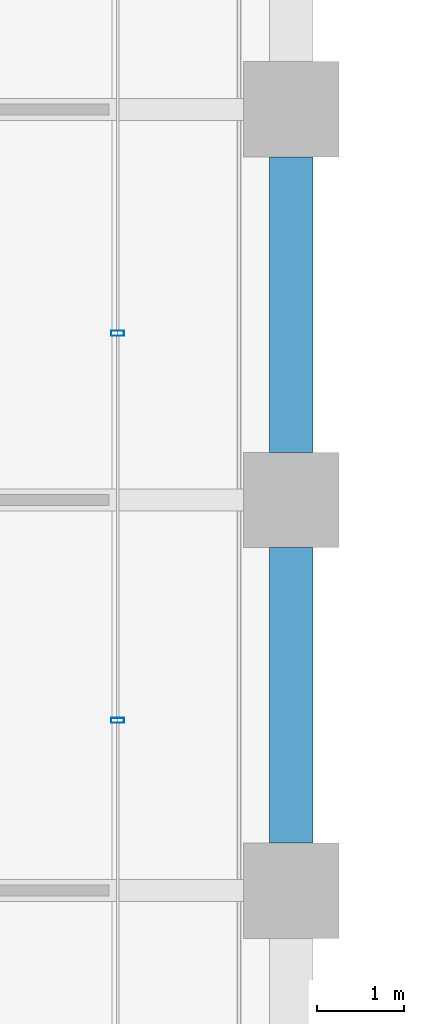
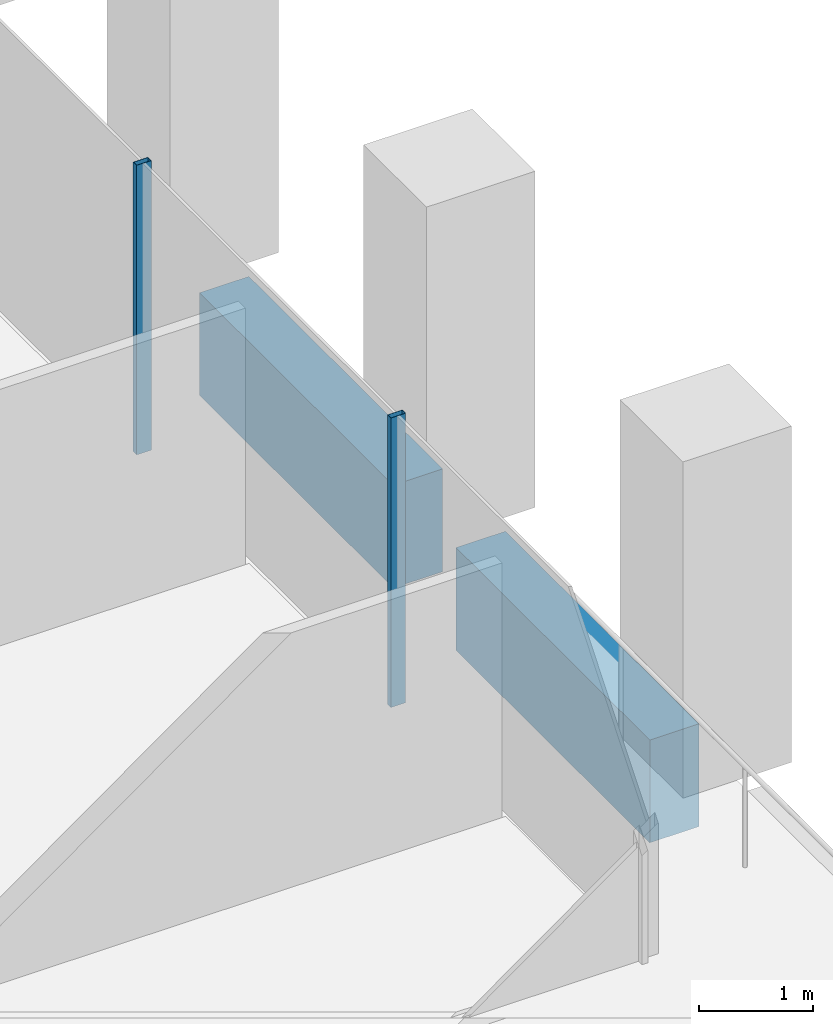
# One storey, part 18 of 56: 2 beams, 2 members, 1 element without a shape of its own.
"""IFC4 building model written with IfcOpenShell, lengths in metres."""

from ifc_helpers import new_model, si_unit, direction, frame, origin, origin_2d, place, context, subcontext, project, spatial, rectangle, hollow_rectangle, extrude, material, material_profile, profile_set, type_object, element, aggregate, save


model = new_model("IFC4")

# Units and contexts
model_context = context("Model", 3, precision=1e-05, world=origin(), true_north=direction((0.0, 1.0)))
body_context = subcontext(model_context, "Body", "Model", "MODEL_VIEW")
ifc_project = project(units=[si_unit("LENGTHUNIT", "METRE"), si_unit("AREAUNIT", "SQUARE_METRE"), si_unit("VOLUMEUNIT", "CUBIC_METRE"), si_unit("PLANEANGLEUNIT", "RADIAN"), si_unit("MASSUNIT", "GRAM", prefix="KILO")], contexts=[model_context])

# Site, building, storey
site_placement = place(None, origin())
site = spatial("IfcSite", under=ifc_project, at=site_placement, CompositionType="ELEMENT")
building_placement = place(site_placement, origin())
building = spatial("IfcBuilding", under=site, at=building_placement, Name="Altepetl Exchange Towers", CompositionType="ELEMENT")
storey_placement = place(building_placement, frame((0.0, 0.0, 76.199951171875)))
storey = spatial("IfcBuildingStorey", under=building, at=storey_placement, Name="L18", CompositionType="ELEMENT", Elevation=76.199951171875)

# Curtain wall, members
ifc_material_1 = material(Name="Aluminium 6063-T6 glazing", Category="aluminium")
curtain_wall_type = type_object("IfcCurtainWallType", Name="Loggia glazing system", PredefinedType="NOTDEFINED", material=ifc_material_1)
curtain_wall_placement = place(storey_placement, origin())
curtain_wall = element("IfcCurtainWall", 1, at=curtain_wall_placement, inside=storey, type_object=curtain_wall_type, Name="CW1 run", PredefinedType="NOTDEFINED")
ifc_material_2 = material(Name="Aluminium 6063-T6", Category="aluminium")
ifc_material_profile_1 = material_profile(ifc_material_2, hollow_rectangle(XDim=0.06005859375, YDim=0.14990234375, WallThickness=0.0029296875, at=origin_2d()), Name="Mullion 60x150 aluminium")
ifc_profile_set_1 = profile_set([ifc_material_profile_1], Name="Aluminium 6063-T6")
member_type = type_object("IfcMemberType", Name="Mullion 60x150 aluminium", PredefinedType="MULLION", material=ifc_profile_set_1)
member_1_placement = place(storey_placement, frame((70.0, 37.9609375, 0.0), z_axis=(0.0, 0.0, 1.0), x_axis=(0.0, 1.0, 0.0)))
member_1 = element("IfcMember", 2, at=member_1_placement, type_object=member_type, Name="MU1 mullion", PredefinedType="MULLION", context=body_context, shape_type="SweptSolid", body=[
    extrude(hollow_rectangle(XDim=0.06005859375, YDim=0.14990234375, WallThickness=0.0029296875, at=origin_2d()), origin(), (0.0, 0.0, 1.0), 3.10009765625),
])
member_2_placement = place(storey_placement, frame((70.0, 42.422119140625, 0.0), z_axis=(0.0, 0.0, 1.0), x_axis=(0.0, 1.0, 0.0)))
member_2 = element("IfcMember", 3, at=member_2_placement, type_object=member_type, Name="MU1 mullion", PredefinedType="MULLION", context=body_context, shape_type="SweptSolid", body=[
    extrude(hollow_rectangle(XDim=0.06005859375, YDim=0.14990234375, WallThickness=0.0029296875, at=origin_2d()), origin(), (0.0, 0.0, 1.0), 3.10009765625),
])
aggregate(curtain_wall, [member_1, member_2])

# Beams
ifc_material_3 = material(Name="Concrete C50/60 precast with cantera amarilla facing", Category="concrete")
ifc_material_profile_2 = material_profile(ifc_material_3, rectangle(XDim=0.5, YDim=1.10009765625, at=origin_2d()), Name="500 x 1100")
ifc_profile_set_2 = profile_set([ifc_material_profile_2], Name="Concrete C50/60 precast with cantera amarilla facing")
beam_type = type_object("IfcBeamType", Name="Spandrel beam 500x1100 cantera amarilla", PredefinedType="SPANDREL", material=ifc_profile_set_2)
for number, where, z_axis, x_axis, name in (
    (4, (72.0, 36.550048828125, -0.699951171875), (0.0, 1.0, 0.0), (-1.0, 0.0, 0.0), "sp:A:L18:013"),
    (5, (72.0, 41.050048828125, -0.699951171875), (0.0, 1.0, 0.0), (-1.0, 0.0, 0.0), "sp:A:L18:014"),
):
    element("IfcBeam", number, at=place(storey_placement, frame(where, z_axis=z_axis, x_axis=x_axis)), inside=storey, type_object=beam_type, Name=name, PredefinedType="SPANDREL", context=body_context, shape_type="SweptSolid", body=[
        extrude(rectangle(XDim=0.5, YDim=1.10009765625, at=origin_2d()), origin(), (0.0, 0.0, 1.0), 3.39990234375),
    ])

save(model, "model.ifc")
